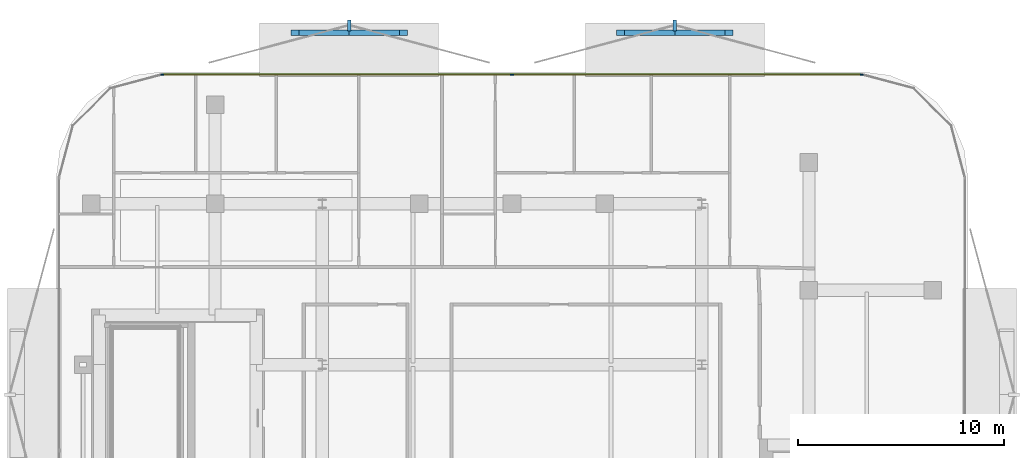
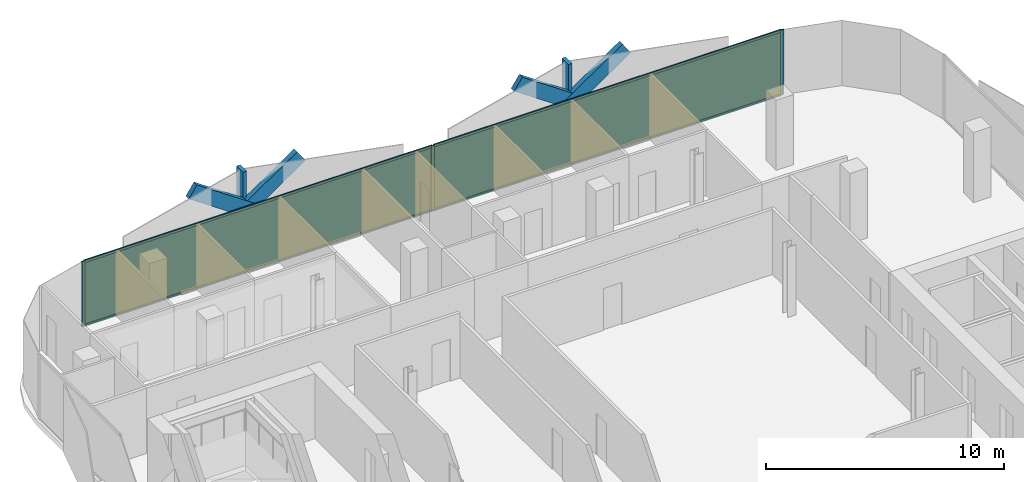
# One storey, part 11 of 15: 13 members, 2 plates, 1 curtain wall.
"""IFC4 building model written with IfcOpenShell, lengths in metres."""

import ifcopenshell
import ifcopenshell.guid

model = None  # the IFC model being written
_history = None  # IfcOwnerHistory: only IFC2X3 demands one
_inside = {}  # id of a spatial element -> (the spatial element, [elements in it])
_under = {}  # id of a project, library or spatial element -> (it, [spatial elements below it])
_declared = {}  # id of a project -> (the project, [libraries it declares])
_typed = {}  # id of a type object -> (the type object, [elements of that type])
_made_of = {}  # id of a material, layer set ... -> (it, [elements and type objects made of it])


def new_model(schema):
    """Start an empty IFC model of exactly this schema.

    Asked for "IFC4X3", IfcOpenShell would pick the latest addendum, in which some entities
    have other attributes; the version numbers below select the first issue.
    IFC2X3 requires an IfcOwnerHistory on every rooted entity: one is made here for all.
    """
    global model, _history
    if schema == "IFC4X3":
        model = ifcopenshell.file(schema_version=(4, 3, 0, 0))
    else:
        model = ifcopenshell.file(schema=schema)
    _inside.clear()
    _under.clear()
    _declared.clear()
    _typed.clear()
    _made_of.clear()
    _history = None
    if model.schema == "IFC2X3":
        org = make("IfcOrganization", Name="unknown")
        user = make(
            "IfcPersonAndOrganization",
            ThePerson=make("IfcPerson", FamilyName="unknown"),
            TheOrganization=org,
        )
        app = make(
            "IfcApplication",
            ApplicationDeveloper=org,
            Version="unknown",
            ApplicationFullName="unknown",
            ApplicationIdentifier="unknown",
        )
        _history = make(
            "IfcOwnerHistory",
            OwningUser=user,
            OwningApplication=app,
            ChangeAction="ADDED",
            CreationDate=0,
        )
    return model


def make(cls, **values):
    """One entity of the class cls with the attributes given. An attribute that is None is left unset."""
    return model.create_entity(
        cls, **{name: value for name, value in values.items() if value is not None}
    )


def rooted(cls, **values):
    """An entity with a GlobalId (a new one), such as an element, a storey or a relation."""
    return make(cls, GlobalId=ifcopenshell.guid.new(), OwnerHistory=_history, **values)


def si_unit(unit_type, name, prefix=None):
    """IfcSIUnit, for example si_unit("LENGTHUNIT", "METRE", prefix="MILLI")."""
    return make("IfcSIUnit", UnitType=unit_type, Prefix=prefix, Name=name)


def assignment(units):
    """IfcUnitAssignment: the units of a project."""
    return None if units is None else make("IfcUnitAssignment", Units=units)


def point(xyz):
    """IfcCartesianPoint."""
    return None if xyz is None else make("IfcCartesianPoint", Coordinates=xyz)


def direction(xyz):
    """IfcDirection."""
    return None if xyz is None else make("IfcDirection", DirectionRatios=xyz)


def frame(location, z_axis=None, x_axis=None):
    """IfcAxis2Placement3D, a coordinate frame: its origin and axes. An axis left out is left unset."""
    return make(
        "IfcAxis2Placement3D",
        Location=point(location),
        Axis=direction(z_axis),
        RefDirection=direction(x_axis),
    )


def frame_2d(location, x_axis=None):
    """IfcAxis2Placement2D, a coordinate frame in the plane: its origin and x axis."""
    return make(
        "IfcAxis2Placement2D", Location=point(location), RefDirection=direction(x_axis)
    )


def origin():
    """The frame at (0, 0, 0) with its axes left unset."""
    return frame((0.0, 0.0, 0.0))


def origin_2d():
    """The frame at (0, 0) in the plane with its x axis left unset."""
    return frame_2d((0.0, 0.0))


def place(relative_to, where):
    """IfcLocalPlacement: puts the frame where relative to a parent placement (None: the world)."""
    return make(
        "IfcLocalPlacement", PlacementRelTo=relative_to, RelativePlacement=where
    )


def context(
    kind, dimensions, precision=None, world=None, true_north=None, identifier=None
):
    """IfcGeometricRepresentationContext, for example the 3D "Model" context."""
    return make(
        "IfcGeometricRepresentationContext",
        ContextIdentifier=identifier,
        ContextType=kind,
        CoordinateSpaceDimension=dimensions,
        Precision=precision,
        WorldCoordinateSystem=world,
        TrueNorth=true_north,
    )


def subcontext(parent, identifier, kind, view, scale=None):
    """IfcGeometricRepresentationSubContext, for example "Body" below "Model"."""
    return make(
        "IfcGeometricRepresentationSubContext",
        ContextIdentifier=identifier,
        ContextType=kind,
        ParentContext=parent,
        TargetScale=scale,
        TargetView=view,
    )


def project(units=None, contexts=None):
    """IfcProject with its units and contexts."""
    return rooted(
        "IfcProject",
        Name="project",
        RepresentationContexts=contexts,
        UnitsInContext=assignment(units),
    )


def spatial(cls, under=None, at=None, **own):
    """A site, building, storey or space (cls), placed at a placement, below another one or the project."""
    s = rooted(cls, ObjectPlacement=at, **own)
    if under is not None:
        _under.setdefault(under.id(), (under, []))[1].append(s)
    return s


def profile(cls, at=None, kind="AREA", **sizes):
    """A parametric profile (cls). Its sizes go by their IFC names, for example OverallWidth=200.0."""
    return make(cls, ProfileType=kind, Position=at, **sizes)


def rectangle(**sizes):
    """IfcRectangleProfileDef."""
    return profile("IfcRectangleProfileDef", **sizes)


def extrude(swept, where, along, depth):
    """IfcExtrudedAreaSolid: the profile swept, set in the frame where, extruded along a direction by depth."""
    return make(
        "IfcExtrudedAreaSolid",
        SweptArea=swept,
        Position=where,
        ExtrudedDirection=direction(along),
        Depth=depth,
    )


def shape(context_of_items, identifier, shape_type, items):
    """IfcShapeRepresentation: the items that make up one representation, for example the "Body"."""
    return make(
        "IfcShapeRepresentation",
        ContextOfItems=context_of_items,
        RepresentationIdentifier=identifier,
        RepresentationType=shape_type,
        Items=items,
    )


def material(Name=None, Category=None):
    """IfcMaterial."""
    return make("IfcMaterial", Name=Name, Category=Category)


def layer(
    of_material, thickness, ventilated=None, Name=None, Category=None, Priority=None
):
    """IfcMaterialLayer: one layer of a wall or slab, of a material (None: an air gap)."""
    return make(
        "IfcMaterialLayer",
        Material=of_material,
        LayerThickness=thickness,
        IsVentilated=ventilated,
        Name=Name,
        Category=Category,
        Priority=Priority,
    )


def layer_set(layers, Name=None):
    """IfcMaterialLayerSet."""
    return make("IfcMaterialLayerSet", MaterialLayers=layers, LayerSetName=Name)


def material_profile(
    of_material, cross_section, Name=None, Category=None, Priority=None
):
    """IfcMaterialProfile: a cross section and its material."""
    return make(
        "IfcMaterialProfile",
        Name=Name,
        Material=of_material,
        Profile=cross_section,
        Priority=Priority,
        Category=Category,
    )


def profile_set(profiles, Name=None, composite=None):
    """IfcMaterialProfileSet."""
    return make(
        "IfcMaterialProfileSet",
        Name=Name,
        MaterialProfiles=profiles,
        CompositeProfile=composite,
    )


def made_of(thing, what):
    """Note that an element or type object is made of a material, layer set ...; save() writes the relation."""
    if what is not None:
        _made_of.setdefault(what.id(), (what, []))[1].append(thing)
    return thing


def type_object(cls, material=None, **own):
    """A type object (cls), such as IfcWallType, which elements share."""
    return made_of(rooted(cls, **own), material)


def element(
    cls,
    number,
    at=None,
    inside=None,
    cuts=None,
    type_object=None,
    material=None,
    context=None,
    identifier="Body",
    shape_type=None,
    held_by="IfcProductDefinitionShape",
    body=None,
    shapes=None,
    **own,
):
    """One element of the class cls, such as IfcWall. Its Tag is "e" and its number.

    at: its placement. inside: the storey or other place that contains it. cuts: it is an
    opening in that element (IfcRelVoidsElement). A single representation is given by context,
    identifier, shape_type and body (its items); several are given by shapes. held_by: the class
    of the entity that holds the representations. save() writes the other relations.
    """
    e = rooted(cls, Tag="e%d" % number, ObjectPlacement=at, **own)
    if body is not None:
        shapes = [shape(context, identifier, shape_type, body)]
    if shapes is not None:
        e.Representation = make(held_by, Representations=shapes)
    if inside is not None:
        _inside.setdefault(inside.id(), (inside, []))[1].append(e)
    if cuts is not None:
        rooted(
            "IfcRelVoidsElement", RelatingBuildingElement=cuts, RelatedOpeningElement=e
        )
    if type_object is not None:
        _typed.setdefault(type_object.id(), (type_object, []))[1].append(e)
    return made_of(e, material)


def aggregate(whole, parts):
    """IfcRelAggregates: a whole, such as a stair, and the parts it consists of."""
    return rooted("IfcRelAggregates", RelatingObject=whole, RelatedObjects=parts)


def save(model, path):
    """Write the relations noted so far, then the file.

    IfcRelAggregates (storeys below a building ...), IfcRelContainedInSpatialStructure (elements
    in a storey), IfcRelDefinesByType, IfcRelAssociatesMaterial and IfcRelDeclares: one each for
    every whole, place, type object, material and project.
    """
    for whole, parts in _under.values():
        aggregate(whole, parts)
    for where, things in _inside.values():
        rooted(
            "IfcRelContainedInSpatialStructure",
            RelatedElements=things,
            RelatingStructure=where,
        )
    for kind, things in _typed.values():
        rooted("IfcRelDefinesByType", RelatedObjects=things, RelatingType=kind)
    for what, things in _made_of.values():
        rooted("IfcRelAssociatesMaterial", RelatedObjects=things, RelatingMaterial=what)
    for by, libraries in _declared.values():
        rooted("IfcRelDeclares", RelatingContext=by, RelatedDefinitions=libraries)
    model.write(path)


model = new_model("IFC4")

# Units and contexts
model_context = context("Model", 3, precision=1e-05, world=origin(), true_north=direction((0.0, 1.0)))
body_context = subcontext(model_context, "Body", "Model", "MODEL_VIEW")
ifc_project = project(units=[si_unit("LENGTHUNIT", "METRE"), si_unit("AREAUNIT", "SQUARE_METRE"), si_unit("VOLUMEUNIT", "CUBIC_METRE"), si_unit("PLANEANGLEUNIT", "RADIAN"), si_unit("MASSUNIT", "GRAM", prefix="KILO")], contexts=[model_context])

# Member
ifc_material_1 = material(Name="Anodised Bronze Aluminium 6063-T6", Category="aluminium")
ifc_material_profile_1 = material_profile(ifc_material_1, rectangle(XDim=0.260009765625, YDim=0.699951171875, at=origin_2d()))
ifc_profile_set_1 = profile_set([ifc_material_profile_1], Name="Anodised Bronze Aluminium 6063-T6")
member_type_1 = type_object("IfcMemberType", Name="Bronze Diamond Solar-Screen Lattice Rib BDL-700", PredefinedType="MULLION", material=ifc_profile_set_1)
site_placement = place(None, origin())
building_placement = place(site_placement, origin())
storey_placement = place(building_placement, frame((0.0, 0.0, 226.0)))
member_1_placement = place(storey_placement, frame((-10.527099609375, 26.89990234375, -0.1298828125), z_axis=(0.825412425657, 0.0, 0.564530183047), x_axis=(0.0, 1.0, 0.0)))
member_1 = element("IfcMember", 1, at=member_1_placement, type_object=member_type_1, Name="L52 Bronze Diamond Solar Screen Lattice Rib 349A", PredefinedType="MULLION", context=body_context, shape_type="SweptSolid", body=[
    extrude(rectangle(XDim=0.260009765625, YDim=0.699951171875, at=origin_2d()), origin(), (0.0, 0.0, 1.0), 6.376708984375),
])

member_2_placement = place(storey_placement, frame((-5.263671875, 26.89990234375, -0.1298828125), z_axis=(-0.825412425657, 0.0, 0.564530183047), x_axis=(0.0, -1.0, 0.0)))
member_2 = element("IfcMember", 2, at=member_2_placement, type_object=member_type_1, Name="L52 Bronze Diamond Solar Screen Lattice Rib 349B", PredefinedType="MULLION", context=body_context, shape_type="SweptSolid", body=[
    extrude(rectangle(XDim=0.260009765625, YDim=0.699951171875, at=origin_2d()), origin(), (0.0, 0.0, 1.0), 6.376708984375),
])

member_3_placement = place(storey_placement, frame((5.263671875, 26.89990234375, -0.1298828125), z_axis=(0.825412425657, 0.0, 0.564530183047), x_axis=(0.0, 1.0, 0.0)))
member_3 = element("IfcMember", 3, at=member_3_placement, type_object=member_type_1, Name="L52 Bronze Diamond Solar Screen Lattice Rib 350A", PredefinedType="MULLION", context=body_context, shape_type="SweptSolid", body=[
    extrude(rectangle(XDim=0.260009765625, YDim=0.699951171875, at=origin_2d()), origin(), (0.0, 0.0, 1.0), 6.376708984375),
])

member_4_placement = place(storey_placement, frame((10.527099609375, 26.89990234375, -0.1298828125), z_axis=(-0.825412425657, 0.0, 0.564530183047), x_axis=(0.0, -1.0, 0.0)))
member_4 = element("IfcMember", 4, at=member_4_placement, type_object=member_type_1, Name="L52 Bronze Diamond Solar Screen Lattice Rib 350B", PredefinedType="MULLION", context=body_context, shape_type="SweptSolid", body=[
    extrude(rectangle(XDim=0.260009765625, YDim=0.699951171875, at=origin_2d()), origin(), (0.0, 0.0, 1.0), 6.376708984375),
])

ifc_material_2 = material(Name="Anodised Bronze Aluminium 6063-T6", Category="aluminium")
ifc_material_profile_2 = material_profile(ifc_material_2, rectangle(XDim=0.179931640625, YDim=0.5400390625, at=origin_2d()))
ifc_profile_set_2 = profile_set([ifc_material_profile_2], Name="Anodised Bronze Aluminium 6063-T6")
member_type_2 = type_object("IfcMemberType", Name="Bronze Solar-Screen Vertical Fold Fin BSF-540", PredefinedType="MULLION", material=ifc_profile_set_2)
member_5_placement = place(storey_placement, frame((-7.8955078125, 27.239990234375, -0.1298828125), z_axis=(0.0, 0.0, 1.0), x_axis=(1.0, 0.0, 0.0)))
member_5 = element("IfcMember", 5, at=member_5_placement, type_object=member_type_2, Name="L52 Bronze Solar Screen Vertical Fin 349", PredefinedType="MULLION", context=body_context, shape_type="SweptSolid", body=[
    extrude(rectangle(XDim=0.179931640625, YDim=0.5400390625, at=origin_2d()), origin(), (0.0, 0.0, 1.0), 3.599853515625),
])

member_6_placement = place(storey_placement, frame((7.8955078125, 27.239990234375, -0.1298828125), z_axis=(0.0, 0.0, 1.0), x_axis=(1.0, 0.0, 0.0)))
member_6 = element("IfcMember", 6, at=member_6_placement, type_object=member_type_2, Name="L52 Bronze Solar Screen Vertical Fin 350", PredefinedType="MULLION", context=body_context, shape_type="SweptSolid", body=[
    extrude(rectangle(XDim=0.179931640625, YDim=0.5400390625, at=origin_2d()), origin(), (0.0, 0.0, 1.0), 3.599853515625),
])

ifc_material_3 = material(Name="Anodised Bronze Aluminium 6063-T6", Category="aluminium")
ifc_material_profile_3 = material_profile(ifc_material_3, rectangle(XDim=0.06005859375, YDim=0.159912109375, at=origin_2d()))
ifc_profile_set_3 = profile_set([ifc_material_profile_3], Name="Anodised Bronze Aluminium 6063-T6")
member_type_3 = type_object("IfcMemberType", Name="CW-Z4 Mullion 60x160", PredefinedType="MULLION", material=ifc_profile_set_3)
member_7_placement = place(storey_placement, frame((-16.960693359375, 24.860107421875, 0.0), z_axis=(0.0, 0.0, 1.0), x_axis=(0.0, 1.0, 0.0)))
member_7 = element("IfcMember", 7, at=member_7_placement, type_object=member_type_3, Name="CW-Z4 mullion 1", PredefinedType="MULLION", context=body_context, shape_type="SweptSolid", body=[
    extrude(rectangle(XDim=0.06005859375, YDim=0.159912109375, at=origin_2d()), origin(), (0.0, 0.0, 1.0), 3.340087890625),
])

member_8_placement = place(storey_placement, frame((0.0, 24.860107421875, 0.0), z_axis=(0.0, 0.0, 1.0), x_axis=(0.0, 1.0, 0.0)))
member_8 = element("IfcMember", 8, at=member_8_placement, type_object=member_type_3, Name="CW-Z4 mullion 2", PredefinedType="MULLION", context=body_context, shape_type="SweptSolid", body=[
    extrude(rectangle(XDim=0.06005859375, YDim=0.159912109375, at=origin_2d()), origin(), (0.0, 0.0, 1.0), 3.340087890625),
])

member_9_placement = place(storey_placement, frame((16.960693359375, 24.860107421875, 0.0), z_axis=(0.0, 0.0, 1.0), x_axis=(0.0, 1.0, 0.0)))
member_9 = element("IfcMember", 9, at=member_9_placement, type_object=member_type_3, Name="CW-Z4 mullion 3", PredefinedType="MULLION", context=body_context, shape_type="SweptSolid", body=[
    extrude(rectangle(XDim=0.06005859375, YDim=0.159912109375, at=origin_2d()), origin(), (0.0, 0.0, 1.0), 3.340087890625),
])

ifc_material_4 = material(Name="Anodised Bronze Aluminium 6063-T6", Category="aluminium")
ifc_material_profile_4 = material_profile(ifc_material_4, rectangle(XDim=0.06005859375, YDim=0.125, at=origin_2d()))
ifc_profile_set_4 = profile_set([ifc_material_profile_4], Name="Anodised Bronze Aluminium 6063-T6")
member_type_4 = type_object("IfcMemberType", Name="CW-Z4 Transom 60x125", PredefinedType="USERDEFINED", material=ifc_profile_set_4)
member_10_placement = place(storey_placement, frame((-16.930908203125, 24.860107421875, 0.030029296875), z_axis=(1.0, 0.0, 0.0), x_axis=(0.0, 1.0, 0.0)))
member_10 = element("IfcMember", 10, at=member_10_placement, type_object=member_type_4, Name="CW-Z4 transom 1.1", ObjectType="TRANSOM", PredefinedType="USERDEFINED", context=body_context, shape_type="SweptSolid", body=[
    extrude(rectangle(XDim=0.06005859375, YDim=0.125, at=origin_2d()), origin(), (0.0, 0.0, 1.0), 16.90087890625),
])

member_11_placement = place(storey_placement, frame((-16.930908203125, 24.860107421875, 3.31005859375), z_axis=(1.0, 0.0, 0.0), x_axis=(0.0, 1.0, 0.0)))
member_11 = element("IfcMember", 11, at=member_11_placement, type_object=member_type_4, Name="CW-Z4 transom 1.2", ObjectType="TRANSOM", PredefinedType="USERDEFINED", context=body_context, shape_type="SweptSolid", body=[
    extrude(rectangle(XDim=0.06005859375, YDim=0.125, at=origin_2d()), origin(), (0.0, 0.0, 1.0), 16.90087890625),
])

member_12_placement = place(storey_placement, frame((0.030029296875, 24.860107421875, 0.030029296875), z_axis=(1.0, 0.0, 0.0), x_axis=(0.0, 1.0, 0.0)))
member_12 = element("IfcMember", 12, at=member_12_placement, type_object=member_type_4, Name="CW-Z4 transom 2.1", ObjectType="TRANSOM", PredefinedType="USERDEFINED", context=body_context, shape_type="SweptSolid", body=[
    extrude(rectangle(XDim=0.06005859375, YDim=0.125, at=origin_2d()), origin(), (0.0, 0.0, 1.0), 16.90087890625),
])

member_13_placement = place(storey_placement, frame((0.030029296875, 24.860107421875, 3.31005859375), z_axis=(1.0, 0.0, 0.0), x_axis=(0.0, 1.0, 0.0)))
member_13 = element("IfcMember", 13, at=member_13_placement, type_object=member_type_4, Name="CW-Z4 transom 2.2", ObjectType="TRANSOM", PredefinedType="USERDEFINED", context=body_context, shape_type="SweptSolid", body=[
    extrude(rectangle(XDim=0.06005859375, YDim=0.125, at=origin_2d()), origin(), (0.0, 0.0, 1.0), 16.90087890625),
])

# Plate
ifc_material_5 = material(Name="Low-E Solar Control Laminated Glass", Category="glass")
ifc_layer_1 = layer(ifc_material_5, 0.030029296875, Name="Low-E Solar Control Laminated Glass")
ifc_layer_set_1 = layer_set([ifc_layer_1], Name="Low-E Solar Control Laminated Glass")
plate_type = type_object("IfcPlateType", Name="CW-Z4 Low-E Double Glazed Panel 30mm", PredefinedType="CURTAIN_PANEL", material=ifc_layer_set_1)
plate_1_placement = place(storey_placement, frame((-8.48046875, 24.860107421875, 0.06005859375), z_axis=(0.0, 0.0, 1.0), x_axis=(1.0, 0.0, 0.0)))
plate_1 = element("IfcPlate", 14, at=plate_1_placement, type_object=plate_type, Name="CW-Z4 panel 1.1", PredefinedType="CURTAIN_PANEL", context=body_context, shape_type="SweptSolid", body=[
    extrude(rectangle(XDim=16.90087890625, YDim=0.030029296875, at=origin_2d()), origin(), (0.0, 0.0, 1.0), 3.219970703125),
])

plate_2_placement = place(storey_placement, frame((8.48046875, 24.860107421875, 0.06005859375), z_axis=(0.0, 0.0, 1.0), x_axis=(1.0, 0.0, 0.0)))
plate_2 = element("IfcPlate", 15, at=plate_2_placement, type_object=plate_type, Name="CW-Z4 panel 2.1", PredefinedType="CURTAIN_PANEL", context=body_context, shape_type="SweptSolid", body=[
    extrude(rectangle(XDim=16.90087890625, YDim=0.030029296875, at=origin_2d()), origin(), (0.0, 0.0, 1.0), 3.219970703125),
])

# Site, building, storey
site = spatial("IfcSite", under=ifc_project, at=site_placement, CompositionType="ELEMENT")
building = spatial("IfcBuilding", under=site, at=building_placement, Name="Khairoan Windgate Tower", CompositionType="ELEMENT")
storey = spatial("IfcBuildingStorey", under=building, at=storey_placement, Name="L52", CompositionType="ELEMENT", Elevation=226.0)

# Curtain wall
ifc_material_6 = material(Name="Anodised Bronze Aluminium 6063-T6", Category="aluminium")
ifc_layer_2 = layer(ifc_material_6, 0.159912109375, Name="Anodised Bronze Aluminium 6063-T6")
ifc_layer_set_2 = layer_set([ifc_layer_2], Name="Anodised Bronze Aluminium 6063-T6")
curtain_wall_type = type_object("IfcCurtainWallType", Name="Sky Residence Unitised Curtain Wall CW-Z4", PredefinedType="NOTDEFINED", material=ifc_layer_set_2)
curtain_wall_placement = place(storey_placement, frame((-16.99072265625, 24.860107421875, 0.0), z_axis=(0.0, 0.0, 1.0), x_axis=(1.0, 0.0, 0.0)))
curtain_wall = element("IfcCurtainWall", 16, at=curtain_wall_placement, inside=storey, type_object=curtain_wall_type, Name="L52 Unitised Curtain Wall 9", PredefinedType="NOTDEFINED", context=body_context, shape_type="SweptSolid", body=[
    extrude(rectangle(XDim=33.9814453125, YDim=0.010009765625, at=frame_2d((16.99072265625, 0.0))), origin(), (0.0, 0.0, 1.0), 3.340087890625),
])

aggregate(curtain_wall, [member_7, member_8, member_9, member_10, member_11, plate_1, member_12, member_13, plate_2, member_1, member_2, member_5, member_3, member_4, member_6])

save(model, "model.ifc")
